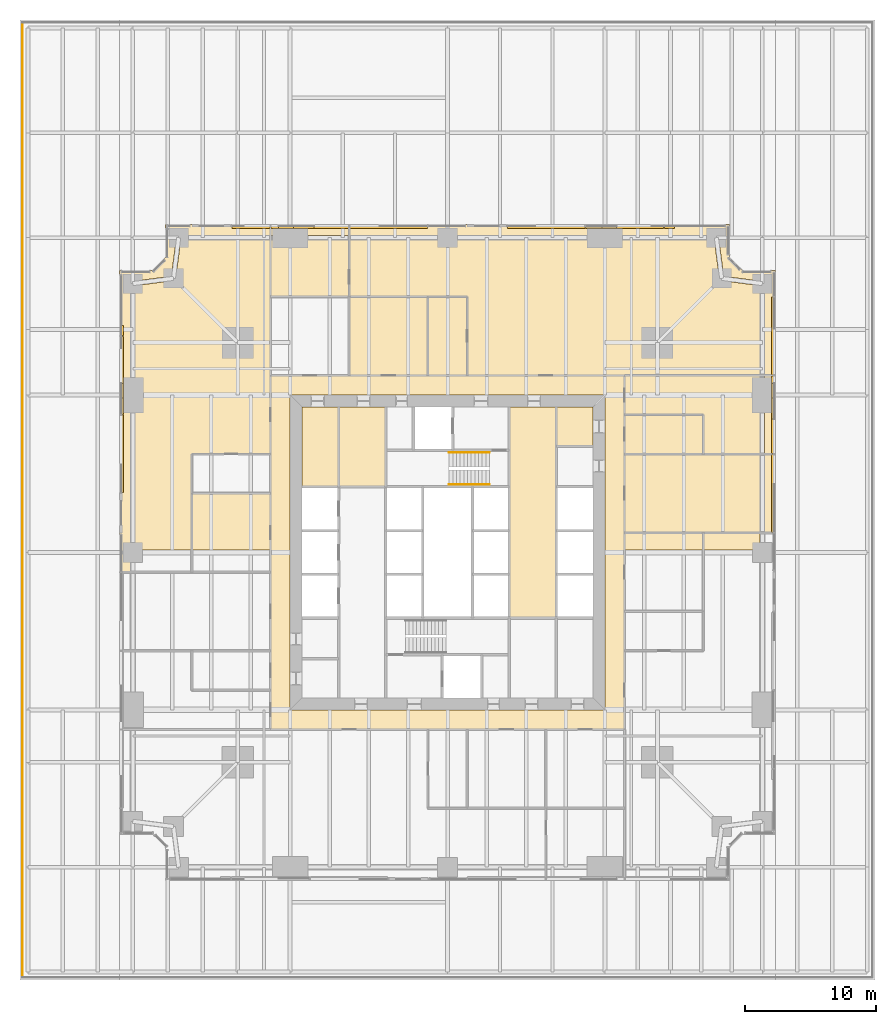
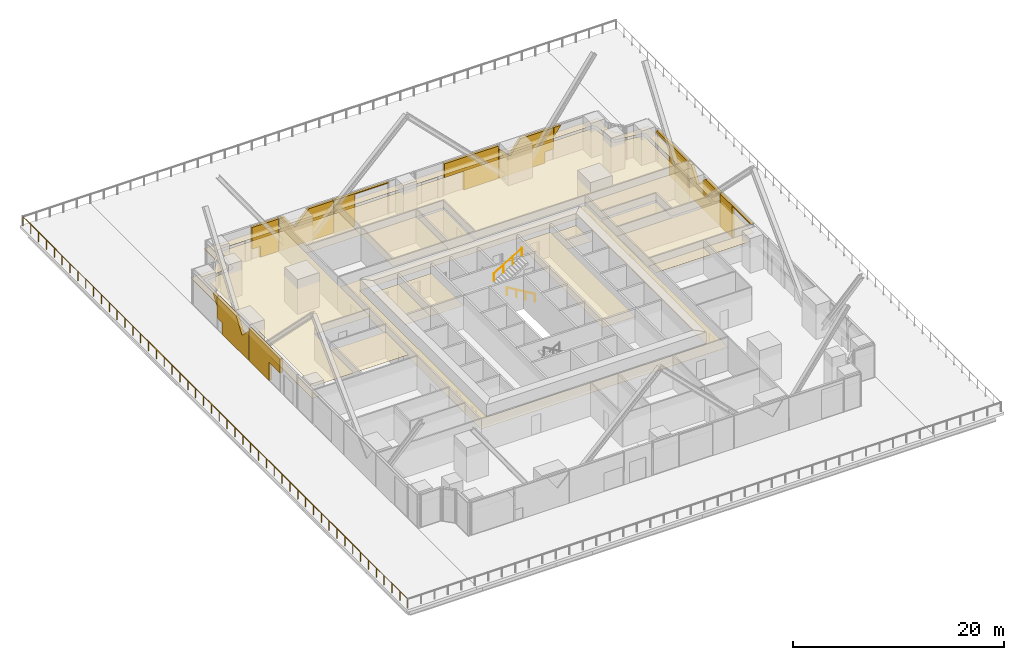
# One storey, part 20 of 21: 32 coverings, 3 railings.
"""IFC4 building model written with IfcOpenShell, lengths in metres."""

from ifc_helpers import new_model, si_unit, direction, frame, origin, origin_2d, place, context, subcontext, project, spatial, polyline, circle, outline, extrude, material, layer, layer_set, type_object, element, save


model = new_model("IFC4")

# Units and contexts
model_context = context("Model", 3, precision=1e-05, world=origin(), true_north=direction((0.0, 1.0)))
body_context = subcontext(model_context, "Body", "Model", "MODEL_VIEW")
ifc_project = project(units=[si_unit("LENGTHUNIT", "METRE"), si_unit("AREAUNIT", "SQUARE_METRE"), si_unit("VOLUMEUNIT", "CUBIC_METRE"), si_unit("PLANEANGLEUNIT", "RADIAN"), si_unit("MASSUNIT", "GRAM", prefix="KILO")], contexts=[model_context])

# Site, building, storey
site_placement = place(None, origin())
site = spatial("IfcSite", under=ifc_project, at=site_placement, CompositionType="ELEMENT")
building_placement = place(site_placement, origin())
building = spatial("IfcBuilding", under=site, at=building_placement, Name="Fenwick Lantern Interchange", CompositionType="ELEMENT")
storey_placement = place(building_placement, frame((0.0, 0.0, 31.0)))
storey = spatial("IfcBuildingStorey", under=building, at=storey_placement, Name="L06", CompositionType="ELEMENT", Elevation=31.0)

# Coverings
ifc_material_1 = material(Name="Mineral fibre acoustic tile on suspended grid")
ifc_layer_1 = layer(ifc_material_1, 0.02001953125)
ifc_layer_set_1 = layer_set([ifc_layer_1], Name="ACOUSTIC TILE CEILING 20")
covering_type_1 = type_object("IfcCoveringType", Name="ACOUSTIC TILE CEILING 20", PredefinedType="CEILING", material=ifc_layer_set_1)
covering_1_placement = place(storey_placement, frame((0.0, 0.0, 2.89990234375)))
element("IfcCovering", 1, at=covering_1_placement, inside=storey, type_object=covering_type_1, Name="Coworking studio ceiling", PredefinedType="CEILING", context=body_context, shape_type="SweptSolid", body=[
    extrude(outline(polyline([(44.5, 26.5), (44.5, 25.175048828125), (48.82763671875, 25.175048828125), (48.82763671875, 26.5), (44.5, 26.5)])), origin(), (0.0, 0.0, 1.0), 0.02001953125),
])
covering_2_placement = place(storey_placement, frame((0.0, 0.0, 2.89990234375)))
element("IfcCovering", 2, at=covering_2_placement, inside=storey, type_object=covering_type_1, Name="Tenant office ceiling", PredefinedType="CEILING", context=body_context, shape_type="SweptSolid", body=[
    extrude(outline(polyline([(38.5, 26.5), (38.5, 25.175048828125), (44.5, 25.175048828125), (44.5, 26.5), (38.5, 26.5)])), origin(), (0.0, 0.0, 1.0), 0.02001953125),
])
covering_3_placement = place(storey_placement, frame((0.0, 0.0, 2.89990234375)))
element("IfcCovering", 3, at=covering_3_placement, inside=storey, type_object=covering_type_1, Name="Coworking room ceiling", PredefinedType="CEILING", context=body_context, shape_type="SweptSolid", body=[
    extrude(outline(polyline([(44.5, 32.5), (48.82763671875, 32.5), (48.82763671875, 37.0), (48.82763671875, 38.5), (38.5, 38.5), (38.5, 35.5), (44.5, 35.5), (44.5, 32.5)])), origin(), (0.0, 0.0, 1.0), 0.02001953125),
])
covering_4_placement = place(storey_placement, frame((0.0, 0.0, 2.89990234375)))
element("IfcCovering", 4, at=covering_4_placement, inside=storey, type_object=covering_type_1, Name="Coworking room ceiling", PredefinedType="CEILING", context=body_context, shape_type="SweptSolid", body=[
    extrude(outline(polyline([(50.0, 32.5), (50.0, 38.5), (49.17236328125, 38.5), (49.17236328125, 37.0), (49.17236328125, 32.5), (50.0, 32.5)])), origin(), (0.0, 0.0, 1.0), 0.02001953125),
])
covering_5_placement = place(storey_placement, frame((0.0, 0.0, 2.89990234375)))
element("IfcCovering", 5, at=covering_5_placement, inside=storey, type_object=covering_type_1, Name="Coworking studio ceiling", PredefinedType="CEILING", context=body_context, shape_type="SweptSolid", body=[
    extrude(outline(polyline([(17.5, 44.5), (26.5, 44.5), (26.5, 38.5), (48.82763671875, 38.5), (48.82763671875, 45.348388671875), (45.8779296875, 45.72900390625), (45.89990234375, 45.89990234375), (45.72900390625, 45.8779296875), (45.348388671875, 48.82763671875), (37.0, 48.82763671875), (25.0, 48.82763671875), (17.5, 48.82763671875), (17.5, 44.5)])), origin(), (0.0, 0.0, 1.0), 0.02001953125),
])
covering_6_placement = place(storey_placement, frame((0.0, 0.0, 2.89990234375)))
element("IfcCovering", 6, at=covering_6_placement, inside=storey, type_object=covering_type_1, Name="Coworking studio ceiling", PredefinedType="CEILING", context=body_context, shape_type="SweptSolid", body=[
    extrude(outline(polyline([(17.5, 50.0), (17.5, 49.17236328125), (25.0, 49.17236328125), (37.0, 49.17236328125), (45.5, 49.17236328125), (45.5, 49.0), (45.6708984375, 49.02197265625), (46.053955078125, 46.053955078125), (49.02197265625, 45.6708984375), (49.0, 45.5), (49.17236328125, 45.5), (49.17236328125, 38.5), (50.0, 38.5), (50.0, 46.5), (47.5, 46.5), (46.5, 47.5), (46.5, 50.0), (17.5, 50.0)])), origin(), (0.0, 0.0, 1.0), 0.02001953125),
])
covering_7_placement = place(storey_placement, frame((0.0, 0.0, 2.89990234375)))
element("IfcCovering", 7, at=covering_7_placement, inside=storey, type_object=covering_type_1, Name="Meeting room ceiling", PredefinedType="CEILING", context=body_context, shape_type="SweptSolid", body=[
    extrude(outline(polyline([(17.5, 44.5), (17.5, 48.82763671875), (13.0, 48.82763671875), (11.5, 48.82763671875), (11.5, 44.5), (17.5, 44.5)])), origin(), (0.0, 0.0, 1.0), 0.02001953125),
])
covering_8_placement = place(storey_placement, frame((0.0, 0.0, 2.89990234375)))
element("IfcCovering", 8, at=covering_8_placement, inside=storey, type_object=covering_type_1, Name="Meeting room ceiling", PredefinedType="CEILING", context=body_context, shape_type="SweptSolid", body=[
    extrude(outline(polyline([(11.5, 50.0), (11.5, 49.17236328125), (13.0, 49.17236328125), (17.5, 49.17236328125), (17.5, 50.0), (11.5, 50.0)])), origin(), (0.0, 0.0, 1.0), 0.02001953125),
])
covering_9_placement = place(storey_placement, frame((0.0, 0.0, 2.89990234375)))
element("IfcCovering", 9, at=covering_9_placement, inside=storey, type_object=covering_type_1, Name="Meeting room ceiling", PredefinedType="CEILING", context=body_context, shape_type="SweptSolid", body=[
    extrude(outline(polyline([(23.5, 44.5), (17.5, 44.5), (17.5, 38.5), (23.5, 38.5), (23.5, 44.5)])), origin(), (0.0, 0.0, 1.0), 0.02001953125),
])
covering_10_placement = place(storey_placement, frame((0.0, 0.0, 2.89990234375)))
element("IfcCovering", 10, at=covering_10_placement, inside=storey, type_object=covering_type_1, Name="Coworking studio ceiling", PredefinedType="CEILING", context=body_context, shape_type="SweptSolid", body=[
    extrude(outline(polyline([(5.5, 25.175048828125), (5.5, 32.5), (11.5, 32.5), (11.5, 48.82763671875), (4.651611328125, 48.82763671875), (4.27099609375, 45.8779296875), (4.10009765625, 45.89990234375), (4.1220703125, 45.72900390625), (1.17236328125, 45.348388671875), (1.17236328125, 37.0), (1.17236328125, 25.175048828125), (5.5, 25.175048828125)])), origin(), (0.0, 0.0, 1.0), 0.02001953125),
])
covering_11_placement = place(storey_placement, frame((0.0, 0.0, 2.89990234375)))
element("IfcCovering", 11, at=covering_11_placement, inside=storey, type_object=covering_type_1, Name="Coworking studio ceiling", PredefinedType="CEILING", context=body_context, shape_type="SweptSolid", body=[
    extrude(outline(polyline([(0.0, 23.5), (0.82763671875, 23.5), (0.82763671875, 25.0), (0.82763671875, 37.0), (0.82763671875, 45.5), (1.0, 45.5), (0.97802734375, 45.6708984375), (3.946044921875, 46.053955078125), (4.3291015625, 49.02197265625), (4.5, 49.0), (4.5, 49.17236328125), (11.5, 49.17236328125), (11.5, 50.0), (3.5, 50.0), (3.5, 47.5), (2.5, 46.5), (0.0, 46.5), (0.0, 23.5)])), origin(), (0.0, 0.0, 1.0), 0.02001953125),
])
covering_12_placement = place(storey_placement, frame((0.0, 0.0, 2.89990234375)))
element("IfcCovering", 12, at=covering_12_placement, inside=storey, type_object=covering_type_1, Name="Tenant office ceiling", PredefinedType="CEILING", context=body_context, shape_type="SweptSolid", body=[
    extrude(outline(polyline([(11.5, 29.5), (5.5, 29.5), (5.5, 25.175048828125), (11.5, 25.175048828125), (11.5, 29.5)])), origin(), (0.0, 0.0, 1.0), 0.02001953125),
])
ifc_material_2 = material(Name="Granite cladding, warm grey flamed finish, on aluminium carrier frame", Category="masonry")
ifc_layer_2 = layer(ifc_material_2, 0.300048828125)
ifc_layer_set_2 = layer_set([ifc_layer_2], Name="BRACE CASING PANEL 300")
covering_type_2 = type_object("IfcCoveringType", Name="BRACE CASING PANEL 300", PredefinedType="CLADDING", material=ifc_layer_set_2)
covering_13_placement = place(storey_placement, frame((49.89990234375, 23.5, 0.0), z_axis=(0.0, 0.0, 1.0), x_axis=(0.0, 1.0, 0.0)))
element("IfcCovering", 13, at=covering_13_placement, inside=storey, type_object=covering_type_2, Name="Brace casing 05B bay 01a", PredefinedType="CLADDING", context=body_context, shape_type="SweptSolid", body=[
    extrude(outline(polyline([(6.6826171875, 0.0), (8.967529296875, 0.0), (8.967529296875, 3.75), (3.032470703125, 3.75), (3.032470703125, 3.65576171875), (6.6826171875, 3.65576171875), (6.6826171875, 0.0)])), frame((0.0, 0.2001953125, 0.0), z_axis=(0.0, -1.0, 0.0), x_axis=(1.0, 0.0, 0.0)), (0.0, 0.0, 1.0), 0.300048828125),
])
covering_14_placement = place(storey_placement, frame((49.89990234375, 23.5, 0.0), z_axis=(0.0, 0.0, 1.0), x_axis=(0.0, 1.0, 0.0)))
element("IfcCovering", 14, at=covering_14_placement, inside=storey, type_object=covering_type_2, Name="Brace casing 05B bay 02a", PredefinedType="CLADDING", context=body_context, shape_type="SweptSolid", body=[
    extrude(outline(polyline([(9.032470703125, 0.0), (14.967529296875, 0.0), (14.967529296875, 3.75), (14.389404296875, 3.75), (13.26416015625, 2.158935546875), (11.675537109375, 3.75), (9.032470703125, 3.75), (9.032470703125, 0.0)])), frame((0.0, 0.2001953125, 0.0), z_axis=(0.0, -1.0, 0.0), x_axis=(1.0, 0.0, 0.0)), (0.0, 0.0, 1.0), 0.300048828125),
])
covering_15_placement = place(storey_placement, frame((49.89990234375, 23.5, 0.0), z_axis=(0.0, 0.0, 1.0), x_axis=(0.0, 1.0, 0.0)))
element("IfcCovering", 15, at=covering_15_placement, inside=storey, type_object=covering_type_2, Name="Brace casing 05B bay 03a", PredefinedType="CLADDING", context=body_context, shape_type="SweptSolid", body=[
    extrude(outline(polyline([(15.032470703125, 0.0), (18.556640625, 0.0), (18.556640625, 3.40771484375), (20.967529296875, 3.40771484375), (20.967529296875, 3.75), (15.032470703125, 3.75), (15.032470703125, 0.0)])), frame((0.0, 0.2001953125, 0.0), z_axis=(0.0, -1.0, 0.0), x_axis=(1.0, 0.0, 0.0)), (0.0, 0.0, 1.0), 0.300048828125),
])
covering_16_placement = place(storey_placement, frame((46.39990234375, 49.89990234375, 2.66650390625), z_axis=(0.0, 0.0, 1.0), x_axis=(-1.0, 0.0, 0.0)))
element("IfcCovering", 16, at=covering_16_placement, inside=storey, type_object=covering_type_2, Name="Brace casing 09A bay 00a", PredefinedType="CLADDING", context=body_context, shape_type="SweptSolid", body=[
    extrude(outline(polyline([(4.867431640625, 0.0), (4.867431640625, 1.08349609375), (4.101318359375, 1.08349609375), (4.867431640625, 0.0)])), frame((0.0, 0.2001953125, 0.0), z_axis=(0.0, -1.0, 0.0), x_axis=(1.0, 0.0, 0.0)), (0.0, 0.0, 1.0), 0.300048828125),
])
covering_17_placement = place(storey_placement, frame((46.39990234375, 49.89990234375, 0.0), z_axis=(0.0, 0.0, 1.0), x_axis=(-1.0, 0.0, 0.0)))
element("IfcCovering", 17, at=covering_17_placement, inside=storey, type_object=covering_type_2, Name="Brace casing 09A bay 01a", PredefinedType="CLADDING", context=body_context, shape_type="SweptSolid", body=[
    extrude(outline(polyline([(5.842529296875, 0.0), (10.867431640625, 0.0), (10.867431640625, 3.392333984375), (9.635986328125, 2.158935546875), (8.510498046875, 3.75), (4.9326171875, 3.75), (4.9326171875, 1.287841796875), (5.842529296875, 1.287841796875), (5.842529296875, 0.0)])), frame((0.0, 0.2001953125, 0.0), z_axis=(0.0, -1.0, 0.0), x_axis=(1.0, 0.0, 0.0)), (0.0, 0.0, 1.0), 0.300048828125),
])
covering_18_placement = place(storey_placement, frame((46.39990234375, 49.89990234375, 0.0), z_axis=(0.0, 0.0, 1.0), x_axis=(-1.0, 0.0, 0.0)))
element("IfcCovering", 18, at=covering_18_placement, inside=storey, type_object=covering_type_2, Name="Brace casing 09A bay 02a", PredefinedType="CLADDING", context=body_context, shape_type="SweptSolid", body=[
    extrude(outline(polyline([(10.9326171875, 0.0), (14.70263671875, 0.0), (14.70263671875, 2.138427734375), (16.8349609375, 2.138427734375), (16.8349609375, 3.75), (10.9326171875, 3.75), (10.9326171875, 0.0)])), frame((0.0, 0.2001953125, 0.0), z_axis=(0.0, -1.0, 0.0), x_axis=(1.0, 0.0, 0.0)), (0.0, 0.0, 1.0), 0.300048828125),
])
covering_19_placement = place(storey_placement, frame((26.5, 49.89990234375, 0.0), z_axis=(0.0, 0.0, 1.0), x_axis=(-1.0, 0.0, 0.0)))
element("IfcCovering", 19, at=covering_19_placement, inside=storey, type_object=covering_type_2, Name="Brace casing 09B bay 01a", PredefinedType="CLADDING", context=body_context, shape_type="SweptSolid", body=[
    extrude(outline(polyline([(6.6826171875, 0.0), (8.967529296875, 0.0), (8.967529296875, 3.75), (3.032470703125, 3.75), (3.032470703125, 3.65576171875), (6.6826171875, 3.65576171875), (6.6826171875, 0.0)])), frame((0.0, 0.2001953125, 0.0), z_axis=(0.0, -1.0, 0.0), x_axis=(1.0, 0.0, 0.0)), (0.0, 0.0, 1.0), 0.300048828125),
])
covering_20_placement = place(storey_placement, frame((26.5, 49.89990234375, 0.0), z_axis=(0.0, 0.0, 1.0), x_axis=(-1.0, 0.0, 0.0)))
element("IfcCovering", 20, at=covering_20_placement, inside=storey, type_object=covering_type_2, Name="Brace casing 09B bay 02a", PredefinedType="CLADDING", context=body_context, shape_type="SweptSolid", body=[
    extrude(outline(polyline([(9.032470703125, 0.0), (14.967529296875, 0.0), (14.967529296875, 3.75), (14.389404296875, 3.75), (13.26416015625, 2.158935546875), (11.675537109375, 3.75), (9.032470703125, 3.75), (9.032470703125, 0.0)])), frame((0.0, 0.2001953125, 0.0), z_axis=(0.0, -1.0, 0.0), x_axis=(1.0, 0.0, 0.0)), (0.0, 0.0, 1.0), 0.300048828125),
])
covering_21_placement = place(storey_placement, frame((26.5, 49.89990234375, 0.0), z_axis=(0.0, 0.0, 1.0), x_axis=(-1.0, 0.0, 0.0)))
element("IfcCovering", 21, at=covering_21_placement, inside=storey, type_object=covering_type_2, Name="Brace casing 09B bay 03a", PredefinedType="CLADDING", context=body_context, shape_type="SweptSolid", body=[
    extrude(outline(polyline([(15.032470703125, 0.0), (17.041748046875, 0.0), (17.041748046875, 1.265625), (17.93505859375, 1.265625), (17.93505859375, 3.75), (15.032470703125, 3.75), (15.032470703125, 0.0)])), frame((0.0, 0.2001953125, 0.0), z_axis=(0.0, -1.0, 0.0), x_axis=(1.0, 0.0, 0.0)), (0.0, 0.0, 1.0), 0.300048828125),
])
covering_22_placement = place(storey_placement, frame((0.10009765625, 46.39990234375, 2.66650390625), z_axis=(0.0, 0.0, 1.0), x_axis=(0.0, -1.0, 0.0)))
element("IfcCovering", 22, at=covering_22_placement, inside=storey, type_object=covering_type_2, Name="Brace casing 13A bay 00a", PredefinedType="CLADDING", context=body_context, shape_type="SweptSolid", body=[
    extrude(outline(polyline([(4.867431640625, 0.0), (4.867431640625, 1.08349609375), (4.101318359375, 1.08349609375), (4.867431640625, 0.0)])), frame((0.0, 0.2001953125, 0.0), z_axis=(0.0, -1.0, 0.0), x_axis=(1.0, 0.0, 0.0)), (0.0, 0.0, 1.0), 0.300048828125),
])
covering_23_placement = place(storey_placement, frame((0.10009765625, 46.39990234375, 0.0), z_axis=(0.0, 0.0, 1.0), x_axis=(0.0, -1.0, 0.0)))
element("IfcCovering", 23, at=covering_23_placement, inside=storey, type_object=covering_type_2, Name="Brace casing 13A bay 01a", PredefinedType="CLADDING", context=body_context, shape_type="SweptSolid", body=[
    extrude(outline(polyline([(5.842529296875, 0.0), (10.867431640625, 0.0), (10.867431640625, 3.392333984375), (9.635986328125, 2.158935546875), (8.510498046875, 3.75), (4.9326171875, 3.75), (4.9326171875, 1.287841796875), (5.842529296875, 1.287841796875), (5.842529296875, 0.0)])), frame((0.0, 0.2001953125, 0.0), z_axis=(0.0, -1.0, 0.0), x_axis=(1.0, 0.0, 0.0)), (0.0, 0.0, 1.0), 0.300048828125),
])
covering_24_placement = place(storey_placement, frame((0.10009765625, 46.39990234375, 0.0), z_axis=(0.0, 0.0, 1.0), x_axis=(0.0, -1.0, 0.0)))
element("IfcCovering", 24, at=covering_24_placement, inside=storey, type_object=covering_type_2, Name="Brace casing 13A bay 02a", PredefinedType="CLADDING", context=body_context, shape_type="SweptSolid", body=[
    extrude(outline(polyline([(10.9326171875, 0.0), (14.70263671875, 0.0), (14.70263671875, 2.138427734375), (16.8349609375, 2.138427734375), (16.8349609375, 3.75), (10.9326171875, 3.75), (10.9326171875, 0.0)])), frame((0.0, 0.2001953125, 0.0), z_axis=(0.0, -1.0, 0.0), x_axis=(1.0, 0.0, 0.0)), (0.0, 0.0, 1.0), 0.300048828125),
])

# Railings
ifc_material_3 = material(Name="Stainless steel handrail", Category="steel")
railing_type_1 = type_object("IfcRailingType", Name="HANDRAIL 900", PredefinedType="HANDRAIL", material=ifc_material_3)
railing_1_placement = place(storey_placement, frame((28.199951171875, 30.174072265625, 0.166748046875)))
element("IfcRailing", 25, at=railing_1_placement, inside=storey, type_object=railing_type_1, Name="L06/STAIR/ST2/HR1", PredefinedType="HANDRAIL", context=body_context, shape_type="SweptSolid", body=[
    extrude(circle(Radius=0.02392578125, at=origin_2d()), frame((0.0, 0.0, 0.8759765625), z_axis=(-0.859290745958, 0.0, 0.51148745235), x_axis=(0.0, -1.0, 0.0)), (0.0, 0.0, 1.0), 3.584228515625),
    extrude(circle(Radius=0.02099609375, at=origin_2d()), origin(), (0.0, 0.0, 1.0), 0.851806640625),
    extrude(circle(Radius=0.02099609375, at=origin_2d()), frame((-1.026611328125, 0.0, 0.611083984375)), (0.0, 0.0, 1.0), 0.851806640625),
    extrude(circle(Radius=0.02099609375, at=origin_2d()), frame((-2.05322265625, 0.0, 1.22216796875)), (0.0, 0.0, 1.0), 0.851806640625),
    extrude(circle(Radius=0.02099609375, at=origin_2d()), frame((-3.079833984375, 0.0, 1.833251953125)), (0.0, 0.0, 1.0), 0.851806640625),
])
railing_2_placement = place(storey_placement, frame((25.1201171875, 32.6259765625, 2.166748046875)))
element("IfcRailing", 26, at=railing_2_placement, inside=storey, type_object=railing_type_1, Name="L06/STAIR/ST2/HR2", PredefinedType="HANDRAIL", context=body_context, shape_type="SweptSolid", body=[
    extrude(circle(Radius=0.02392578125, at=origin_2d()), frame((0.0, 0.0, 0.8759765625), z_axis=(0.859290745958, 0.0, 0.51148745235), x_axis=(0.0, 1.0, 0.0)), (0.0, 0.0, 1.0), 3.584228515625),
    extrude(circle(Radius=0.02099609375, at=origin_2d()), origin(), (0.0, 0.0, 1.0), 0.851806640625),
    extrude(circle(Radius=0.02099609375, at=origin_2d()), frame((1.026611328125, 0.0, 0.611083984375)), (0.0, 0.0, 1.0), 0.851806640625),
    extrude(circle(Radius=0.02099609375, at=origin_2d()), frame((2.05322265625, 0.0, 1.22216796875)), (0.0, 0.0, 1.0), 0.851806640625),
    extrude(circle(Radius=0.02099609375, at=origin_2d()), frame((3.079833984375, 0.0, 1.833251953125)), (0.0, 0.0, 1.0), 0.851806640625),
])

# Coverings
ifc_material_4 = material(Name="Moisture resistant gypsum board on suspended frame, painted")
ifc_layer_3 = layer(ifc_material_4, 0.014892578125)
ifc_layer_set_3 = layer_set([ifc_layer_3], Name="MOISTURE RESISTANT CEILING 15")
covering_type_3 = type_object("IfcCoveringType", Name="MOISTURE RESISTANT CEILING 15", PredefinedType="CEILING", material=ifc_layer_set_3)
covering_25_placement = place(storey_placement, frame((0.0, 0.0, 2.60009765625)))
element("IfcCovering", 27, at=covering_25_placement, inside=storey, type_object=covering_type_3, Name="Accessible WC ceiling", PredefinedType="CEILING", context=body_context, shape_type="SweptSolid", body=[
    extrude(outline(polyline([(36.10009765625, 36.10009765625), (33.300048828125, 36.10009765625), (33.300048828125, 33.10009765625), (36.10009765625, 33.10009765625), (36.10009765625, 36.10009765625)])), origin(), (0.0, 0.0, 1.0), 0.014892578125),
])
covering_26_placement = place(storey_placement, frame((0.0, 0.0, 2.60009765625)))
element("IfcCovering", 28, at=covering_26_placement, inside=storey, type_object=covering_type_3, Name="Men's WC ceiling", PredefinedType="CEILING", context=body_context, shape_type="SweptSolid", body=[
    extrude(outline(polyline([(20.300048828125, 36.10009765625), (16.699951171875, 36.10009765625), (16.699951171875, 30.0), (20.300048828125, 30.0), (20.300048828125, 36.10009765625)])), origin(), (0.0, 0.0, 1.0), 0.014892578125),
])
covering_27_placement = place(storey_placement, frame((0.0, 0.0, 2.60009765625)))
element("IfcCovering", 29, at=covering_27_placement, inside=storey, type_object=covering_type_3, Name="Women's WC ceiling", PredefinedType="CEILING", context=body_context, shape_type="SweptSolid", body=[
    extrude(outline(polyline([(16.699951171875, 36.10009765625), (13.89990234375, 36.10009765625), (13.89990234375, 30.0), (16.699951171875, 30.0), (16.699951171875, 36.10009765625)])), origin(), (0.0, 0.0, 1.0), 0.014892578125),
])
covering_28_placement = place(storey_placement, frame((0.0, 0.0, 2.699951171875)))
element("IfcCovering", 30, at=covering_28_placement, inside=storey, type_object=covering_type_3, Name="Locker room ceiling", PredefinedType="CEILING", context=body_context, shape_type="SweptSolid", body=[
    extrude(outline(polyline([(50.0, 32.5), (38.5, 32.5), (38.5, 26.5), (50.0, 26.5), (50.0, 32.5)])), origin(), (0.0, 0.0, 1.0), 0.01513671875),
])
covering_29_placement = place(storey_placement, frame((0.0, 0.0, 2.699951171875)))
element("IfcCovering", 31, at=covering_29_placement, inside=storey, type_object=covering_type_3, Name="Tenant kitchen ceiling", PredefinedType="CEILING", context=body_context, shape_type="SweptSolid", body=[
    extrude(outline(polyline([(26.5, 44.5), (23.5, 44.5), (23.5, 38.5), (26.5, 38.5), (26.5, 44.5)])), origin(), (0.0, 0.0, 1.0), 0.01513671875),
])
ifc_material_5 = material(Name="Gypsum plasterboard on suspended frame, painted")
ifc_layer_4 = layer(ifc_material_5, 0.014892578125)
ifc_layer_set_4 = layer_set([ifc_layer_4], Name="PLASTERBOARD CEILING 15")
covering_type_4 = type_object("IfcCoveringType", Name="PLASTERBOARD CEILING 15", PredefinedType="CEILING", material=ifc_layer_set_4)
covering_30_placement = place(storey_placement, frame((0.0, 0.0, 2.800048828125)))
element("IfcCovering", 32, at=covering_30_placement, inside=storey, type_object=covering_type_4, Name="Lift lobby ceiling", PredefinedType="CEILING", context=body_context, shape_type="SweptSolid", body=[
    extrude(outline(polyline([(33.300048828125, 36.10009765625), (29.699951171875, 36.10009765625), (29.699951171875, 20.0), (33.300048828125, 20.0), (33.300048828125, 36.10009765625)])), origin(), (0.0, 0.0, 1.0), 0.014892578125),
])
covering_31_placement = place(storey_placement, frame((0.0, 0.0, 2.60009765625)))
element("IfcCovering", 33, at=covering_31_placement, inside=storey, type_object=covering_type_4, Name="Corridor ceiling", PredefinedType="CEILING", context=body_context, shape_type="SweptSolid", body=[
    extrude(outline(polyline([(11.5, 38.5), (11.5, 11.5), (38.5, 11.5), (38.5, 38.5), (11.5, 38.5)]), holes=[polyline([(37.0, 13.0), (13.0, 13.0), (13.0, 37.0), (37.0, 37.0), (37.0, 13.0)])]), origin(), (0.0, 0.0, 1.0), 0.014892578125),
])
covering_32_placement = place(storey_placement, frame((0.0, 0.0, 2.699951171875)))
element("IfcCovering", 34, at=covering_32_placement, inside=storey, type_object=covering_type_4, Name="Wellness room ceiling", PredefinedType="CEILING", context=body_context, shape_type="SweptSolid", body=[
    extrude(outline(polyline([(44.5, 32.5), (44.5, 35.5), (38.5, 35.5), (38.5, 32.5), (44.5, 32.5)])), origin(), (0.0, 0.0, 1.0), 0.01513671875),
])

# Railing
ifc_material_6 = material(Name="Stainless steel and laminated glass guard", Category="steel")
railing_type_2 = type_object("IfcRailingType", Name="TERRACE GUARD 1100", PredefinedType="GUARDRAIL", material=ifc_material_6)
railing_3_placement = place(storey_placement, frame((-7.39990234375, 65.39990234375, 0.0)))
element("IfcRailing", 35, at=railing_3_placement, inside=storey, type_object=railing_type_2, Name="L06/GR/4", PredefinedType="GUARDRAIL", context=body_context, shape_type="SweptSolid", body=[
    extrude(circle(Radius=0.02392578125, at=origin_2d()), frame((0.0, 0.0, 1.076171875), z_axis=(0.0, -1.0, 0.0), x_axis=(1.0, 0.0, 0.0)), (0.0, 0.0, 1.0), 72.7998046875),
    extrude(circle(Radius=0.02099609375, at=origin_2d()), origin(), (0.0, 0.0, 1.0), 1.052001953125),
    extrude(circle(Radius=0.02099609375, at=origin_2d()), frame((0.0, -1.485595703125, 0.0)), (0.0, 0.0, 1.0), 1.052001953125),
    extrude(circle(Radius=0.02099609375, at=origin_2d()), frame((0.0, -2.971435546875, 0.0)), (0.0, 0.0, 1.0), 1.052001953125),
    extrude(circle(Radius=0.02099609375, at=origin_2d()), frame((0.0, -4.45703125, 0.0)), (0.0, 0.0, 1.0), 1.052001953125),
    extrude(circle(Radius=0.02099609375, at=origin_2d()), frame((0.0, -5.94287109375, 0.0)), (0.0, 0.0, 1.0), 1.052001953125),
    extrude(circle(Radius=0.02099609375, at=origin_2d()), frame((0.0, -7.428466796875, 0.0)), (0.0, 0.0, 1.0), 1.052001953125),
    extrude(circle(Radius=0.02099609375, at=origin_2d()), frame((0.0, -8.914306640625, 0.0)), (0.0, 0.0, 1.0), 1.052001953125),
    extrude(circle(Radius=0.02099609375, at=origin_2d()), frame((0.0, -10.39990234375, 0.0)), (0.0, 0.0, 1.0), 1.052001953125),
    extrude(circle(Radius=0.02099609375, at=origin_2d()), frame((0.0, -11.8857421875, 0.0)), (0.0, 0.0, 1.0), 1.052001953125),
    extrude(circle(Radius=0.02099609375, at=origin_2d()), frame((0.0, -13.371337890625, 0.0)), (0.0, 0.0, 1.0), 1.052001953125),
    extrude(circle(Radius=0.02099609375, at=origin_2d()), frame((0.0, -14.857177734375, 0.0)), (0.0, 0.0, 1.0), 1.052001953125),
    extrude(circle(Radius=0.02099609375, at=origin_2d()), frame((0.0, -16.3427734375, 0.0)), (0.0, 0.0, 1.0), 1.052001953125),
    extrude(circle(Radius=0.02099609375, at=origin_2d()), frame((0.0, -17.82861328125, 0.0)), (0.0, 0.0, 1.0), 1.052001953125),
    extrude(circle(Radius=0.02099609375, at=origin_2d()), frame((0.0, -19.314208984375, 0.0)), (0.0, 0.0, 1.0), 1.052001953125),
    extrude(circle(Radius=0.02099609375, at=origin_2d()), frame((0.0, -20.800048828125, 0.0)), (0.0, 0.0, 1.0), 1.052001953125),
    extrude(circle(Radius=0.02099609375, at=origin_2d()), frame((0.0, -22.28564453125, 0.0)), (0.0, 0.0, 1.0), 1.052001953125),
    extrude(circle(Radius=0.02099609375, at=origin_2d()), frame((0.0, -23.771484375, 0.0)), (0.0, 0.0, 1.0), 1.052001953125),
    extrude(circle(Radius=0.02099609375, at=origin_2d()), frame((0.0, -25.257080078125, 0.0)), (0.0, 0.0, 1.0), 1.052001953125),
    extrude(circle(Radius=0.02099609375, at=origin_2d()), frame((0.0, -26.74267578125, 0.0)), (0.0, 0.0, 1.0), 1.052001953125),
    extrude(circle(Radius=0.02099609375, at=origin_2d()), frame((0.0, -28.228515625, 0.0)), (0.0, 0.0, 1.0), 1.052001953125),
    extrude(circle(Radius=0.02099609375, at=origin_2d()), frame((0.0, -29.714111328125, 0.0)), (0.0, 0.0, 1.0), 1.052001953125),
    extrude(circle(Radius=0.02099609375, at=origin_2d()), frame((0.0, -31.199951171875, 0.0)), (0.0, 0.0, 1.0), 1.052001953125),
    extrude(circle(Radius=0.02099609375, at=origin_2d()), frame((0.0, -32.685546875, 0.0)), (0.0, 0.0, 1.0), 1.052001953125),
    extrude(circle(Radius=0.02099609375, at=origin_2d()), frame((0.0, -34.17138671875, 0.0)), (0.0, 0.0, 1.0), 1.052001953125),
    extrude(circle(Radius=0.02099609375, at=origin_2d()), frame((0.0, -35.656982421875, 0.0)), (0.0, 0.0, 1.0), 1.052001953125),
    extrude(circle(Radius=0.02099609375, at=origin_2d()), frame((0.0, -37.142822265625, 0.0)), (0.0, 0.0, 1.0), 1.052001953125),
    extrude(circle(Radius=0.02099609375, at=origin_2d()), frame((0.0, -38.62841796875, 0.0)), (0.0, 0.0, 1.0), 1.052001953125),
    extrude(circle(Radius=0.02099609375, at=origin_2d()), frame((0.0, -40.1142578125, 0.0)), (0.0, 0.0, 1.0), 1.052001953125),
    extrude(circle(Radius=0.02099609375, at=origin_2d()), frame((0.0, -41.599853515625, 0.0)), (0.0, 0.0, 1.0), 1.052001953125),
    extrude(circle(Radius=0.02099609375, at=origin_2d()), frame((0.0, -43.085693359375, 0.0)), (0.0, 0.0, 1.0), 1.052001953125),
    extrude(circle(Radius=0.02099609375, at=origin_2d()), frame((0.0, -44.5712890625, 0.0)), (0.0, 0.0, 1.0), 1.052001953125),
    extrude(circle(Radius=0.02099609375, at=origin_2d()), frame((0.0, -46.05712890625, 0.0)), (0.0, 0.0, 1.0), 1.052001953125),
    extrude(circle(Radius=0.02099609375, at=origin_2d()), frame((0.0, -47.542724609375, 0.0)), (0.0, 0.0, 1.0), 1.052001953125),
    extrude(circle(Radius=0.02099609375, at=origin_2d()), frame((0.0, -49.0283203125, 0.0)), (0.0, 0.0, 1.0), 1.052001953125),
    extrude(circle(Radius=0.02099609375, at=origin_2d()), frame((0.0, -50.51416015625, 0.0)), (0.0, 0.0, 1.0), 1.052001953125),
    extrude(circle(Radius=0.02099609375, at=origin_2d()), frame((0.0, -51.999755859375, 0.0)), (0.0, 0.0, 1.0), 1.052001953125),
    extrude(circle(Radius=0.02099609375, at=origin_2d()), frame((0.0, -53.485595703125, 0.0)), (0.0, 0.0, 1.0), 1.052001953125),
    extrude(circle(Radius=0.02099609375, at=origin_2d()), frame((0.0, -54.97119140625, 0.0)), (0.0, 0.0, 1.0), 1.052001953125),
    extrude(circle(Radius=0.02099609375, at=origin_2d()), frame((0.0, -56.45703125, 0.0)), (0.0, 0.0, 1.0), 1.052001953125),
    extrude(circle(Radius=0.02099609375, at=origin_2d()), frame((0.0, -57.942626953125, 0.0)), (0.0, 0.0, 1.0), 1.052001953125),
    extrude(circle(Radius=0.02099609375, at=origin_2d()), frame((0.0, -59.428466796875, 0.0)), (0.0, 0.0, 1.0), 1.052001953125),
    extrude(circle(Radius=0.02099609375, at=origin_2d()), frame((0.0, -60.9140625, 0.0)), (0.0, 0.0, 1.0), 1.052001953125),
    extrude(circle(Radius=0.02099609375, at=origin_2d()), frame((0.0, -62.39990234375, 0.0)), (0.0, 0.0, 1.0), 1.052001953125),
    extrude(circle(Radius=0.02099609375, at=origin_2d()), frame((0.0, -63.885498046875, 0.0)), (0.0, 0.0, 1.0), 1.052001953125),
    extrude(circle(Radius=0.02099609375, at=origin_2d()), frame((0.0, -65.371337890625, 0.0)), (0.0, 0.0, 1.0), 1.052001953125),
    extrude(circle(Radius=0.02099609375, at=origin_2d()), frame((0.0, -66.85693359375, 0.0)), (0.0, 0.0, 1.0), 1.052001953125),
    extrude(circle(Radius=0.02099609375, at=origin_2d()), frame((0.0, -68.3427734375, 0.0)), (0.0, 0.0, 1.0), 1.052001953125),
    extrude(circle(Radius=0.02099609375, at=origin_2d()), frame((0.0, -69.828369140625, 0.0)), (0.0, 0.0, 1.0), 1.052001953125),
    extrude(circle(Radius=0.02099609375, at=origin_2d()), frame((0.0, -71.314208984375, 0.0)), (0.0, 0.0, 1.0), 1.052001953125),
    extrude(circle(Radius=0.02099609375, at=origin_2d()), frame((0.0, -72.7998046875, 0.0)), (0.0, 0.0, 1.0), 1.052001953125),
])

save(model, "model.ifc")
